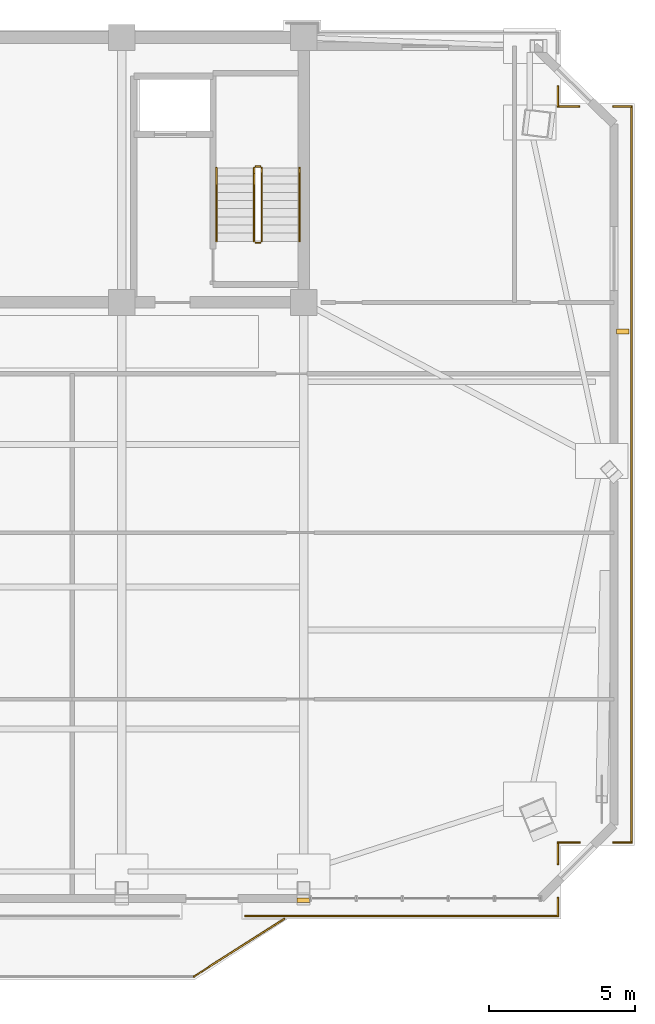
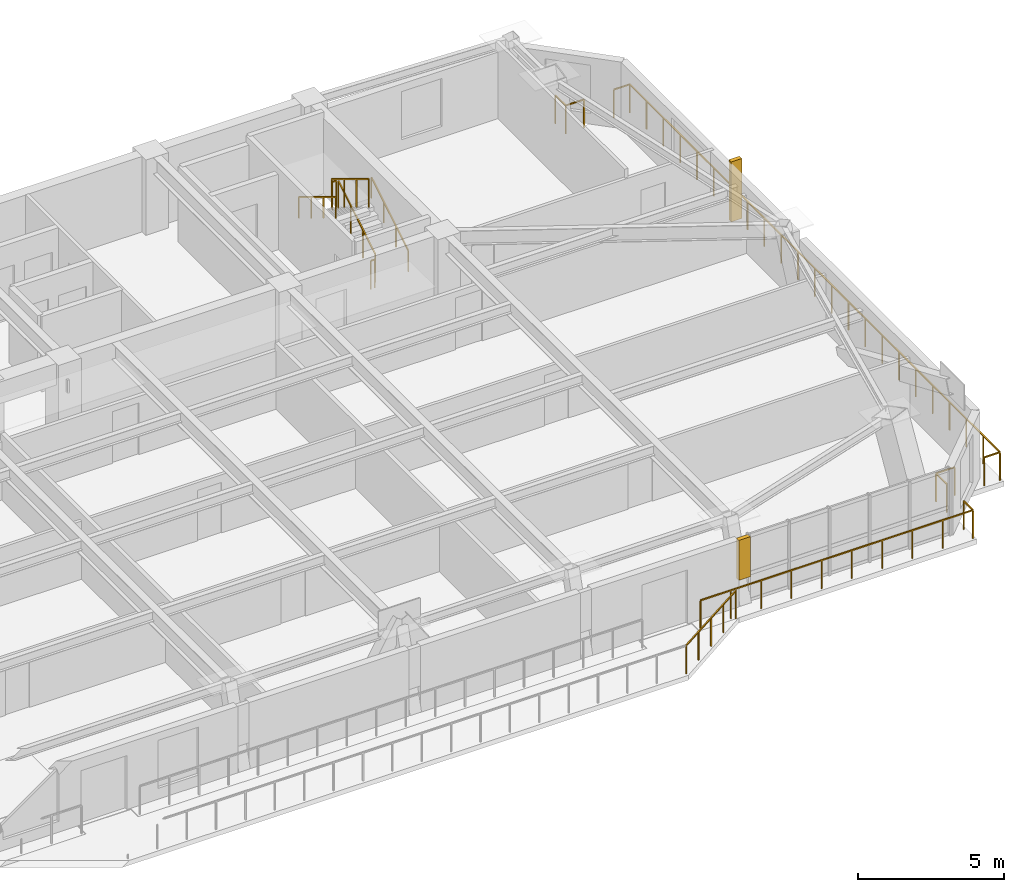
# One storey, part 14 of 15: 16 railings, 1 covering, 1 shading device.
"""IFC4 building model written with IfcOpenShell, lengths in metres."""

import ifcopenshell
import ifcopenshell.guid

model = None  # the IFC model being written
_history = None  # IfcOwnerHistory: only IFC2X3 demands one
_inside = {}  # id of a spatial element -> (the spatial element, [elements in it])
_under = {}  # id of a project, library or spatial element -> (it, [spatial elements below it])
_declared = {}  # id of a project -> (the project, [libraries it declares])
_typed = {}  # id of a type object -> (the type object, [elements of that type])
_made_of = {}  # id of a material, layer set ... -> (it, [elements and type objects made of it])


def new_model(schema):
    """Start an empty IFC model of exactly this schema.

    Asked for "IFC4X3", IfcOpenShell would pick the latest addendum, in which some entities
    have other attributes; the version numbers below select the first issue.
    IFC2X3 requires an IfcOwnerHistory on every rooted entity: one is made here for all.
    """
    global model, _history
    if schema == "IFC4X3":
        model = ifcopenshell.file(schema_version=(4, 3, 0, 0))
    else:
        model = ifcopenshell.file(schema=schema)
    _inside.clear()
    _under.clear()
    _declared.clear()
    _typed.clear()
    _made_of.clear()
    _history = None
    if model.schema == "IFC2X3":
        org = make("IfcOrganization", Name="unknown")
        user = make(
            "IfcPersonAndOrganization",
            ThePerson=make("IfcPerson", FamilyName="unknown"),
            TheOrganization=org,
        )
        app = make(
            "IfcApplication",
            ApplicationDeveloper=org,
            Version="unknown",
            ApplicationFullName="unknown",
            ApplicationIdentifier="unknown",
        )
        _history = make(
            "IfcOwnerHistory",
            OwningUser=user,
            OwningApplication=app,
            ChangeAction="ADDED",
            CreationDate=0,
        )
    return model


def make(cls, **values):
    """One entity of the class cls with the attributes given. An attribute that is None is left unset."""
    return model.create_entity(
        cls, **{name: value for name, value in values.items() if value is not None}
    )


def rooted(cls, **values):
    """An entity with a GlobalId (a new one), such as an element, a storey or a relation."""
    return make(cls, GlobalId=ifcopenshell.guid.new(), OwnerHistory=_history, **values)


def si_unit(unit_type, name, prefix=None):
    """IfcSIUnit, for example si_unit("LENGTHUNIT", "METRE", prefix="MILLI")."""
    return make("IfcSIUnit", UnitType=unit_type, Prefix=prefix, Name=name)


def assignment(units):
    """IfcUnitAssignment: the units of a project."""
    return None if units is None else make("IfcUnitAssignment", Units=units)


def point(xyz):
    """IfcCartesianPoint."""
    return None if xyz is None else make("IfcCartesianPoint", Coordinates=xyz)


def direction(xyz):
    """IfcDirection."""
    return None if xyz is None else make("IfcDirection", DirectionRatios=xyz)


def frame(location, z_axis=None, x_axis=None):
    """IfcAxis2Placement3D, a coordinate frame: its origin and axes. An axis left out is left unset."""
    return make(
        "IfcAxis2Placement3D",
        Location=point(location),
        Axis=direction(z_axis),
        RefDirection=direction(x_axis),
    )


def frame_2d(location, x_axis=None):
    """IfcAxis2Placement2D, a coordinate frame in the plane: its origin and x axis."""
    return make(
        "IfcAxis2Placement2D", Location=point(location), RefDirection=direction(x_axis)
    )


def origin():
    """The frame at (0, 0, 0) with its axes left unset."""
    return frame((0.0, 0.0, 0.0))


def origin_2d():
    """The frame at (0, 0) in the plane with its x axis left unset."""
    return frame_2d((0.0, 0.0))


def place(relative_to, where):
    """IfcLocalPlacement: puts the frame where relative to a parent placement (None: the world)."""
    return make(
        "IfcLocalPlacement", PlacementRelTo=relative_to, RelativePlacement=where
    )


def context(
    kind, dimensions, precision=None, world=None, true_north=None, identifier=None
):
    """IfcGeometricRepresentationContext, for example the 3D "Model" context."""
    return make(
        "IfcGeometricRepresentationContext",
        ContextIdentifier=identifier,
        ContextType=kind,
        CoordinateSpaceDimension=dimensions,
        Precision=precision,
        WorldCoordinateSystem=world,
        TrueNorth=true_north,
    )


def subcontext(parent, identifier, kind, view, scale=None):
    """IfcGeometricRepresentationSubContext, for example "Body" below "Model"."""
    return make(
        "IfcGeometricRepresentationSubContext",
        ContextIdentifier=identifier,
        ContextType=kind,
        ParentContext=parent,
        TargetScale=scale,
        TargetView=view,
    )


def project(units=None, contexts=None):
    """IfcProject with its units and contexts."""
    return rooted(
        "IfcProject",
        Name="project",
        RepresentationContexts=contexts,
        UnitsInContext=assignment(units),
    )


def spatial(cls, under=None, at=None, **own):
    """A site, building, storey or space (cls), placed at a placement, below another one or the project."""
    s = rooted(cls, ObjectPlacement=at, **own)
    if under is not None:
        _under.setdefault(under.id(), (under, []))[1].append(s)
    return s


def polyline(points):
    """IfcPolyline through the points."""
    return make("IfcPolyline", Points=[point(p) for p in points])


def profile(cls, at=None, kind="AREA", **sizes):
    """A parametric profile (cls). Its sizes go by their IFC names, for example OverallWidth=200.0."""
    return make(cls, ProfileType=kind, Position=at, **sizes)


def rectangle(**sizes):
    """IfcRectangleProfileDef."""
    return profile("IfcRectangleProfileDef", **sizes)


def outline(outer, holes=None, kind="AREA"):
    """IfcArbitraryClosedProfileDef: a profile drawn as a closed curve; with holes, ...WithVoids."""
    if holes is None:
        return make("IfcArbitraryClosedProfileDef", ProfileType=kind, OuterCurve=outer)
    return make(
        "IfcArbitraryProfileDefWithVoids",
        ProfileType=kind,
        OuterCurve=outer,
        InnerCurves=holes,
    )


def extrude(swept, where, along, depth):
    """IfcExtrudedAreaSolid: the profile swept, set in the frame where, extruded along a direction by depth."""
    return make(
        "IfcExtrudedAreaSolid",
        SweptArea=swept,
        Position=where,
        ExtrudedDirection=direction(along),
        Depth=depth,
    )


def shape(context_of_items, identifier, shape_type, items):
    """IfcShapeRepresentation: the items that make up one representation, for example the "Body"."""
    return make(
        "IfcShapeRepresentation",
        ContextOfItems=context_of_items,
        RepresentationIdentifier=identifier,
        RepresentationType=shape_type,
        Items=items,
    )


def source(mapping_origin, context_of_items, identifier, shape_type, items):
    """IfcRepresentationMap: a shape defined once, which mapped items show again and again."""
    return make(
        "IfcRepresentationMap",
        MappingOrigin=mapping_origin,
        MappedRepresentation=shape(context_of_items, identifier, shape_type, items),
    )


def transform(
    local_origin,
    x_axis=None,
    y_axis=None,
    z_axis=None,
    scale=None,
    scale2=None,
    scale3=None,
    uniform=True,
):
    """IfcCartesianTransformationOperator3D, or its non-uniform kind. x_axis, y_axis, z_axis: its Axis1, 2, 3."""
    if uniform:
        return make(
            "IfcCartesianTransformationOperator3D",
            Axis1=direction(x_axis),
            Axis2=direction(y_axis),
            LocalOrigin=point(local_origin),
            Scale=scale,
            Axis3=direction(z_axis),
        )
    return make(
        "IfcCartesianTransformationOperator3DnonUniform",
        Axis1=direction(x_axis),
        Axis2=direction(y_axis),
        LocalOrigin=point(local_origin),
        Scale=scale,
        Axis3=direction(z_axis),
        Scale2=scale2,
        Scale3=scale3,
    )


def mapped(mapping_source, mapping_target):
    """IfcMappedItem: shows the shape of a source again, moved by a transform."""
    return make(
        "IfcMappedItem", MappingSource=mapping_source, MappingTarget=mapping_target
    )


def material(Name=None, Category=None):
    """IfcMaterial."""
    return make("IfcMaterial", Name=Name, Category=Category)


def layer(
    of_material, thickness, ventilated=None, Name=None, Category=None, Priority=None
):
    """IfcMaterialLayer: one layer of a wall or slab, of a material (None: an air gap)."""
    return make(
        "IfcMaterialLayer",
        Material=of_material,
        LayerThickness=thickness,
        IsVentilated=ventilated,
        Name=Name,
        Category=Category,
        Priority=Priority,
    )


def layer_set(layers, Name=None):
    """IfcMaterialLayerSet."""
    return make("IfcMaterialLayerSet", MaterialLayers=layers, LayerSetName=Name)


def made_of(thing, what):
    """Note that an element or type object is made of a material, layer set ...; save() writes the relation."""
    if what is not None:
        _made_of.setdefault(what.id(), (what, []))[1].append(thing)
    return thing


def type_object(cls, material=None, **own):
    """A type object (cls), such as IfcWallType, which elements share."""
    return made_of(rooted(cls, **own), material)


def element(
    cls,
    number,
    at=None,
    inside=None,
    cuts=None,
    type_object=None,
    material=None,
    context=None,
    identifier="Body",
    shape_type=None,
    held_by="IfcProductDefinitionShape",
    body=None,
    shapes=None,
    **own,
):
    """One element of the class cls, such as IfcWall. Its Tag is "e" and its number.

    at: its placement. inside: the storey or other place that contains it. cuts: it is an
    opening in that element (IfcRelVoidsElement). A single representation is given by context,
    identifier, shape_type and body (its items); several are given by shapes. held_by: the class
    of the entity that holds the representations. save() writes the other relations.
    """
    e = rooted(cls, Tag="e%d" % number, ObjectPlacement=at, **own)
    if body is not None:
        shapes = [shape(context, identifier, shape_type, body)]
    if shapes is not None:
        e.Representation = make(held_by, Representations=shapes)
    if inside is not None:
        _inside.setdefault(inside.id(), (inside, []))[1].append(e)
    if cuts is not None:
        rooted(
            "IfcRelVoidsElement", RelatingBuildingElement=cuts, RelatedOpeningElement=e
        )
    if type_object is not None:
        _typed.setdefault(type_object.id(), (type_object, []))[1].append(e)
    return made_of(e, material)


def aggregate(whole, parts):
    """IfcRelAggregates: a whole, such as a stair, and the parts it consists of."""
    return rooted("IfcRelAggregates", RelatingObject=whole, RelatedObjects=parts)


def save(model, path):
    """Write the relations noted so far, then the file.

    IfcRelAggregates (storeys below a building ...), IfcRelContainedInSpatialStructure (elements
    in a storey), IfcRelDefinesByType, IfcRelAssociatesMaterial and IfcRelDeclares: one each for
    every whole, place, type object, material and project.
    """
    for whole, parts in _under.values():
        aggregate(whole, parts)
    for where, things in _inside.values():
        rooted(
            "IfcRelContainedInSpatialStructure",
            RelatedElements=things,
            RelatingStructure=where,
        )
    for kind, things in _typed.values():
        rooted("IfcRelDefinesByType", RelatedObjects=things, RelatingType=kind)
    for what, things in _made_of.values():
        rooted("IfcRelAssociatesMaterial", RelatedObjects=things, RelatingMaterial=what)
    for by, libraries in _declared.values():
        rooted("IfcRelDeclares", RelatingContext=by, RelatedDefinitions=libraries)
    model.write(path)


model = new_model("IFC4")

# Units and contexts
model_context = context("Model", 3, precision=1e-05, world=origin(), true_north=direction((0.0, 1.0)))
body_context = subcontext(model_context, "Body", "Model", "MODEL_VIEW")
ifc_project = project(units=[si_unit("LENGTHUNIT", "METRE"), si_unit("AREAUNIT", "SQUARE_METRE"), si_unit("VOLUMEUNIT", "CUBIC_METRE"), si_unit("PLANEANGLEUNIT", "RADIAN"), si_unit("MASSUNIT", "GRAM", prefix="KILO")], contexts=[model_context])

# Site, building, storey
site_placement = place(None, origin())
site = spatial("IfcSite", under=ifc_project, at=site_placement, CompositionType="ELEMENT")
building_placement = place(site_placement, origin())
building = spatial("IfcBuilding", under=site, at=building_placement, Name="Giltprow Tower", CompositionType="ELEMENT")
storey_placement = place(building_placement, frame((0.0, 0.0, 275.699951171875)))
storey = spatial("IfcBuildingStorey", under=building, at=storey_placement, Name="L71", CompositionType="ELEMENT", Elevation=275.699951171875)

# Covering
ifc_material = material(Name="Anodized bronze", Category="metal")
ifc_layer = layer(ifc_material, 0.0400390625, Name="Anodized bronze")
ifc_layer_set = layer_set([ifc_layer], Name="Anodized bronze")
covering_type = type_object("IfcCoveringType", Name="COV-SOFFIT-BRONZE", PredefinedType="CLADDING", material=ifc_layer_set)
covering_placement = place(storey_placement, frame((0.0, 0.0, 1.10009765625)))
element("IfcCovering", 1, at=covering_placement, inside=storey, type_object=covering_type, Name="L71 Setback Pier Closure Cladding S-5", PredefinedType="CLADDING", context=body_context, shape_type="SweptSolid", body=[
    extrude(outline(polyline([(50.324951171875, 16.8359375), (50.77490234375, 16.8359375), (50.77490234375, 16.99609375), (50.324951171875, 16.99609375), (50.324951171875, 16.8359375)])), origin(), (0.0, 0.0, 1.0), 1.669921875),
])

# Railings
railing_type_1 = type_object("IfcRailingType", Name="RAIL-BALC-GUARD-1200", PredefinedType="BALUSTRADE", material=ifc_material)
railing_1_placement = place(storey_placement, frame((46.780029296875, 14.2958984375, 0.0)))
element("IfcRailing", 2, at=railing_1_placement, inside=storey, type_object=railing_type_1, Name="L71 Waterfront Balcony Balustrade Seg 3", PredefinedType="BALUSTRADE", context=body_context, shape_type="SweptSolid", body=[
    extrude(rectangle(XDim=0.048095703125, YDim=0.048095703125, at=origin_2d()), frame((0.0, 0.0, 1.17578125), z_axis=(0.842755646126, 0.538296313309, 0.0), x_axis=(-0.538296313309, 0.842755646126, 0.0)), (0.0, 0.0, 1.0), 3.67822265625),
    extrude(rectangle(XDim=0.0419921875, YDim=0.0419921875, at=origin_2d()), origin(), (0.0, 0.0, 1.0), 1.15185546875),
    extrude(rectangle(XDim=0.0419921875, YDim=0.0419921875, at=origin_2d()), frame((0.77490234375, 0.4951171875, 0.0)), (0.0, 0.0, 1.0), 1.15185546875),
    extrude(rectangle(XDim=0.0419921875, YDim=0.0419921875, at=origin_2d()), frame((1.5498046875, 0.989990234375, 0.0)), (0.0, 0.0, 1.0), 1.15185546875),
    extrude(rectangle(XDim=0.0419921875, YDim=0.0419921875, at=origin_2d()), frame((2.324951171875, 1.48486328125, 0.0)), (0.0, 0.0, 1.0), 1.15185546875),
    extrude(rectangle(XDim=0.0419921875, YDim=0.0419921875, at=origin_2d()), frame((3.099853515625, 1.97998046875, 0.0)), (0.0, 0.0, 1.0), 1.15185546875),
])
railing_2_placement = place(storey_placement, frame((61.806884765625, 44.176025390625, 0.0)))
element("IfcRailing", 3, at=railing_2_placement, inside=storey, type_object=railing_type_1, Name="L71 Corner Apron Edge Balustrade 1", PredefinedType="BALUSTRADE", context=body_context, shape_type="SweptSolid", body=[
    extrude(rectangle(XDim=0.048095703125, YDim=0.048095703125, at=origin_2d()), frame((0.0, 0.0, 1.17578125), z_axis=(0.0, -1.0, 0.0), x_axis=(1.0, 0.0, 0.0)), (0.0, 0.0, 1.0), 25.277099609375),
    extrude(rectangle(XDim=0.0419921875, YDim=0.0419921875, at=origin_2d()), origin(), (0.0, 0.0, 1.0), 1.15185546875),
    extrude(rectangle(XDim=0.0419921875, YDim=0.0419921875, at=origin_2d()), frame((0.0, -1.14892578125, 0.0)), (0.0, 0.0, 1.0), 1.15185546875),
    extrude(rectangle(XDim=0.0419921875, YDim=0.0419921875, at=origin_2d()), frame((0.0, -2.2978515625, 0.0)), (0.0, 0.0, 1.0), 1.15185546875),
    extrude(rectangle(XDim=0.0419921875, YDim=0.0419921875, at=origin_2d()), frame((0.0, -3.44677734375, 0.0)), (0.0, 0.0, 1.0), 1.15185546875),
    extrude(rectangle(XDim=0.0419921875, YDim=0.0419921875, at=origin_2d()), frame((0.0, -4.595947265625, 0.0)), (0.0, 0.0, 1.0), 1.15185546875),
    extrude(rectangle(XDim=0.0419921875, YDim=0.0419921875, at=origin_2d()), frame((0.0, -5.744873046875, 0.0)), (0.0, 0.0, 1.0), 1.15185546875),
    extrude(rectangle(XDim=0.0419921875, YDim=0.0419921875, at=origin_2d()), frame((0.0, -6.893798828125, 0.0)), (0.0, 0.0, 1.0), 1.15185546875),
    extrude(rectangle(XDim=0.0419921875, YDim=0.0419921875, at=origin_2d()), frame((0.0, -8.042724609375, 0.0)), (0.0, 0.0, 1.0), 1.15185546875),
    extrude(rectangle(XDim=0.0419921875, YDim=0.0419921875, at=origin_2d()), frame((0.0, -9.191650390625, 0.0)), (0.0, 0.0, 1.0), 1.15185546875),
    extrude(rectangle(XDim=0.0419921875, YDim=0.0419921875, at=origin_2d()), frame((0.0, -10.340576171875, 0.0)), (0.0, 0.0, 1.0), 1.15185546875),
    extrude(rectangle(XDim=0.0419921875, YDim=0.0419921875, at=origin_2d()), frame((0.0, -11.489501953125, 0.0)), (0.0, 0.0, 1.0), 1.15185546875),
    extrude(rectangle(XDim=0.0419921875, YDim=0.0419921875, at=origin_2d()), frame((0.0, -12.638671875, 0.0)), (0.0, 0.0, 1.0), 1.15185546875),
    extrude(rectangle(XDim=0.0419921875, YDim=0.0419921875, at=origin_2d()), frame((0.0, -13.78759765625, 0.0)), (0.0, 0.0, 1.0), 1.15185546875),
    extrude(rectangle(XDim=0.0419921875, YDim=0.0419921875, at=origin_2d()), frame((0.0, -14.9365234375, 0.0)), (0.0, 0.0, 1.0), 1.15185546875),
    extrude(rectangle(XDim=0.0419921875, YDim=0.0419921875, at=origin_2d()), frame((0.0, -16.08544921875, 0.0)), (0.0, 0.0, 1.0), 1.15185546875),
    extrude(rectangle(XDim=0.0419921875, YDim=0.0419921875, at=origin_2d()), frame((0.0, -17.234375, 0.0)), (0.0, 0.0, 1.0), 1.15185546875),
    extrude(rectangle(XDim=0.0419921875, YDim=0.0419921875, at=origin_2d()), frame((0.0, -18.38330078125, 0.0)), (0.0, 0.0, 1.0), 1.15185546875),
    extrude(rectangle(XDim=0.0419921875, YDim=0.0419921875, at=origin_2d()), frame((0.0, -19.5322265625, 0.0)), (0.0, 0.0, 1.0), 1.15185546875),
    extrude(rectangle(XDim=0.0419921875, YDim=0.0419921875, at=origin_2d()), frame((0.0, -20.68115234375, 0.0)), (0.0, 0.0, 1.0), 1.15185546875),
    extrude(rectangle(XDim=0.0419921875, YDim=0.0419921875, at=origin_2d()), frame((0.0, -21.830322265625, 0.0)), (0.0, 0.0, 1.0), 1.15185546875),
    extrude(rectangle(XDim=0.0419921875, YDim=0.0419921875, at=origin_2d()), frame((0.0, -22.979248046875, 0.0)), (0.0, 0.0, 1.0), 1.15185546875),
    extrude(rectangle(XDim=0.0419921875, YDim=0.0419921875, at=origin_2d()), frame((0.0, -24.128173828125, 0.0)), (0.0, 0.0, 1.0), 1.15185546875),
    extrude(rectangle(XDim=0.0419921875, YDim=0.0419921875, at=origin_2d()), frame((0.0, -25.277099609375, 0.0)), (0.0, 0.0, 1.0), 1.15185546875),
])
railing_3_placement = place(storey_placement, frame((61.806884765625, 18.89892578125, 0.0)))
element("IfcRailing", 4, at=railing_3_placement, inside=storey, type_object=railing_type_1, Name="L71 Corner Apron Edge Balustrade 2", PredefinedType="BALUSTRADE", context=body_context, shape_type="SweptSolid", body=[
    extrude(rectangle(XDim=0.048095703125, YDim=0.048095703125, at=origin_2d()), frame((0.0, 0.0, 1.17578125), z_axis=(-1.0, 0.0, 0.0), x_axis=(0.0, -1.0, 0.0)), (0.0, 0.0, 1.0), 0.619873046875),
    extrude(rectangle(XDim=0.0419921875, YDim=0.0419921875, at=origin_2d()), origin(), (0.0, 0.0, 1.0), 1.15185546875),
    extrude(rectangle(XDim=0.0419921875, YDim=0.0419921875, at=origin_2d()), frame((-0.619873046875, 0.0, 0.0)), (0.0, 0.0, 1.0), 1.15185546875),
])
railing_4_placement = place(storey_placement, frame((60.027099609375, 18.89892578125, 0.0)))
element("IfcRailing", 5, at=railing_4_placement, inside=storey, type_object=railing_type_1, Name="L71 Corner Apron Edge Balustrade 3", PredefinedType="BALUSTRADE", context=body_context, shape_type="SweptSolid", body=[
    extrude(rectangle(XDim=0.048095703125, YDim=0.048095703125, at=origin_2d()), frame((0.0, 0.0, 1.17578125), z_axis=(-1.0, 0.0, 0.0), x_axis=(0.0, -1.0, 0.0)), (0.0, 0.0, 1.0), 0.744140625),
    extrude(rectangle(XDim=0.0419921875, YDim=0.0419921875, at=origin_2d()), origin(), (0.0, 0.0, 1.0), 1.15185546875),
    extrude(rectangle(XDim=0.0419921875, YDim=0.0419921875, at=origin_2d()), frame((-0.744140625, 0.0, 0.0)), (0.0, 0.0, 1.0), 1.15185546875),
])
railing_5_placement = place(storey_placement, frame((59.282958984375, 18.89892578125, 0.0)))
element("IfcRailing", 6, at=railing_5_placement, inside=storey, type_object=railing_type_1, Name="L71 Corner Apron Edge Balustrade 4", PredefinedType="BALUSTRADE", context=body_context, shape_type="SweptSolid", body=[
    extrude(rectangle(XDim=0.048095703125, YDim=0.048095703125, at=origin_2d()), frame((0.0, 0.0, 1.17578125), z_axis=(0.0, -1.0, 0.0), x_axis=(1.0, 0.0, 0.0)), (0.0, 0.0, 1.0), 0.743896484375),
    extrude(rectangle(XDim=0.0419921875, YDim=0.0419921875, at=origin_2d()), origin(), (0.0, 0.0, 1.0), 1.15185546875),
    extrude(rectangle(XDim=0.0419921875, YDim=0.0419921875, at=origin_2d()), frame((0.0, -0.743896484375, 0.0)), (0.0, 0.0, 1.0), 1.15185546875),
])
railing_6_placement = place(storey_placement, frame((59.282958984375, 16.9951171875, 0.0)))
element("IfcRailing", 7, at=railing_6_placement, inside=storey, type_object=railing_type_1, Name="L71 Corner Apron Edge Balustrade 5", PredefinedType="BALUSTRADE", context=body_context, shape_type="SweptSolid", body=[
    extrude(rectangle(XDim=0.048095703125, YDim=0.048095703125, at=origin_2d()), frame((0.0, 0.0, 1.17578125), z_axis=(0.0, -1.0, 0.0), x_axis=(1.0, 0.0, 0.0)), (0.0, 0.0, 1.0), 0.619140625),
    extrude(rectangle(XDim=0.0419921875, YDim=0.0419921875, at=origin_2d()), origin(), (0.0, 0.0, 1.0), 1.15185546875),
    extrude(rectangle(XDim=0.0419921875, YDim=0.0419921875, at=origin_2d()), frame((0.0, -0.619140625, 0.0)), (0.0, 0.0, 1.0), 1.15185546875),
])
railing_7_placement = place(storey_placement, frame((59.282958984375, 16.3759765625, 0.0)))
element("IfcRailing", 8, at=railing_7_placement, inside=storey, type_object=railing_type_1, Name="L71 Corner Apron Edge Balustrade 6", PredefinedType="BALUSTRADE", context=body_context, shape_type="SweptSolid", body=[
    extrude(rectangle(XDim=0.048095703125, YDim=0.048095703125, at=origin_2d()), frame((0.0, 0.0, 1.17578125), z_axis=(-1.0, 0.0, 0.0), x_axis=(0.0, -1.0, 0.0)), (0.0, 0.0, 1.0), 10.73291015625),
    extrude(rectangle(XDim=0.0419921875, YDim=0.0419921875, at=origin_2d()), origin(), (0.0, 0.0, 1.0), 1.15185546875),
    extrude(rectangle(XDim=0.0419921875, YDim=0.0419921875, at=origin_2d()), frame((-1.192626953125, 0.0, 0.0)), (0.0, 0.0, 1.0), 1.15185546875),
    extrude(rectangle(XDim=0.0419921875, YDim=0.0419921875, at=origin_2d()), frame((-2.385009765625, 0.0, 0.0)), (0.0, 0.0, 1.0), 1.15185546875),
    extrude(rectangle(XDim=0.0419921875, YDim=0.0419921875, at=origin_2d()), frame((-3.57763671875, 0.0, 0.0)), (0.0, 0.0, 1.0), 1.15185546875),
    extrude(rectangle(XDim=0.0419921875, YDim=0.0419921875, at=origin_2d()), frame((-4.770263671875, 0.0, 0.0)), (0.0, 0.0, 1.0), 1.15185546875),
    extrude(rectangle(XDim=0.0419921875, YDim=0.0419921875, at=origin_2d()), frame((-5.962646484375, 0.0, 0.0)), (0.0, 0.0, 1.0), 1.15185546875),
    extrude(rectangle(XDim=0.0419921875, YDim=0.0419921875, at=origin_2d()), frame((-7.1552734375, 0.0, 0.0)), (0.0, 0.0, 1.0), 1.15185546875),
    extrude(rectangle(XDim=0.0419921875, YDim=0.0419921875, at=origin_2d()), frame((-8.347900390625, 0.0, 0.0)), (0.0, 0.0, 1.0), 1.15185546875),
    extrude(rectangle(XDim=0.0419921875, YDim=0.0419921875, at=origin_2d()), frame((-9.540283203125, 0.0, 0.0)), (0.0, 0.0, 1.0), 1.15185546875),
    extrude(rectangle(XDim=0.0419921875, YDim=0.0419921875, at=origin_2d()), frame((-10.73291015625, 0.0, 0.0)), (0.0, 0.0, 1.0), 1.15185546875),
])
railing_8_placement = place(storey_placement, frame((59.282958984375, 44.876953125, 0.0)))
element("IfcRailing", 9, at=railing_8_placement, inside=storey, type_object=railing_type_1, Name="L71 Corner Apron Edge Balustrade 27", PredefinedType="BALUSTRADE", context=body_context, shape_type="SweptSolid", body=[
    extrude(rectangle(XDim=0.048095703125, YDim=0.048095703125, at=origin_2d()), frame((0.0, 0.0, 1.17578125), z_axis=(0.0, -1.0, 0.0), x_axis=(1.0, 0.0, 0.0)), (0.0, 0.0, 1.0), 0.700927734375),
    extrude(rectangle(XDim=0.0419921875, YDim=0.0419921875, at=origin_2d()), origin(), (0.0, 0.0, 1.0), 1.15185546875),
    extrude(rectangle(XDim=0.0419921875, YDim=0.0419921875, at=origin_2d()), frame((0.0, -0.700927734375, 0.0)), (0.0, 0.0, 1.0), 1.15185546875),
])
railing_9_placement = place(storey_placement, frame((59.282958984375, 44.176025390625, 0.0)))
element("IfcRailing", 10, at=railing_9_placement, inside=storey, type_object=railing_type_1, Name="L71 Corner Apron Edge Balustrade 28", PredefinedType="BALUSTRADE", context=body_context, shape_type="SweptSolid", body=[
    extrude(rectangle(XDim=0.048095703125, YDim=0.048095703125, at=origin_2d()), frame((0.0, 0.0, 1.17578125), z_axis=(1.0, 0.0, 0.0), x_axis=(0.0, 1.0, 0.0)), (0.0, 0.0, 1.0), 0.719970703125),
    extrude(rectangle(XDim=0.0419921875, YDim=0.0419921875, at=origin_2d()), origin(), (0.0, 0.0, 1.0), 1.15185546875),
    extrude(rectangle(XDim=0.0419921875, YDim=0.0419921875, at=origin_2d()), frame((0.719970703125, 0.0, 0.0)), (0.0, 0.0, 1.0), 1.15185546875),
])
railing_10_placement = place(storey_placement, frame((61.178955078125, 44.176025390625, 0.0)))
element("IfcRailing", 11, at=railing_10_placement, inside=storey, type_object=railing_type_1, Name="L71 Corner Apron Edge Balustrade 29", PredefinedType="BALUSTRADE", context=body_context, shape_type="SweptSolid", body=[
    extrude(rectangle(XDim=0.048095703125, YDim=0.048095703125, at=origin_2d()), frame((0.0, 0.0, 1.17578125), z_axis=(1.0, 0.0, 0.0), x_axis=(0.0, 1.0, 0.0)), (0.0, 0.0, 1.0), 0.6279296875),
    extrude(rectangle(XDim=0.0419921875, YDim=0.0419921875, at=origin_2d()), origin(), (0.0, 0.0, 1.0), 1.15185546875),
    extrude(rectangle(XDim=0.0419921875, YDim=0.0419921875, at=origin_2d()), frame((0.6279296875, 0.0, 0.0)), (0.0, 0.0, 1.0), 1.15185546875),
])
railing_type_2 = type_object("IfcRailingType", Name="RAIL-STAIR-GUARD-1200", PredefinedType="GUARDRAIL", material=ifc_material)
railing_11_placement = place(storey_placement, frame((49.110107421875, 39.550048828125, 0.170166015625)))
element("IfcRailing", 12, at=railing_11_placement, inside=storey, type_object=railing_type_2, Name="L71 ST-3 stair guard 1", PredefinedType="GUARDRAIL", context=body_context, shape_type="SweptSolid", body=[
    extrude(rectangle(XDim=0.048095703125, YDim=0.048095703125, at=origin_2d()), frame((0.0, 0.0, 1.17578125), z_axis=(0.0, 0.854821627497, 0.518921945155), x_axis=(-1.0, 0.0, 0.0)), (0.0, 0.0, 1.0), 2.947998046875),
    extrude(rectangle(XDim=0.0419921875, YDim=0.0419921875, at=origin_2d()), origin(), (0.0, 0.0, 1.0), 1.15185546875),
    extrude(rectangle(XDim=0.0419921875, YDim=0.0419921875, at=origin_2d()), frame((0.0, 0.840087890625, 0.510009765625)), (0.0, 0.0, 1.0), 1.15185546875),
    extrude(rectangle(XDim=0.0419921875, YDim=0.0419921875, at=origin_2d()), frame((0.0, 1.679931640625, 1.019775390625)), (0.0, 0.0, 1.0), 1.15185546875),
    extrude(rectangle(XDim=0.0419921875, YDim=0.0419921875, at=origin_2d()), frame((0.0, 2.52001953125, 1.52978515625)), (0.0, 0.0, 1.0), 1.15185546875),
])
railing_12_placement = place(storey_placement, frame((49.06005859375, 42.1201171875, 1.699951171875)))
element("IfcRailing", 13, at=railing_12_placement, inside=storey, type_object=railing_type_2, Name="L71 ST-3 stair guard 2", PredefinedType="GUARDRAIL", context=body_context, shape_type="SweptSolid", body=[
    extrude(rectangle(XDim=0.048095703125, YDim=0.048095703125, at=origin_2d()), frame((0.0, 0.0, 1.17578125), z_axis=(-1.0, 0.0, 0.0), x_axis=(0.0, -1.0, 0.0)), (0.0, 0.0, 1.0), 0.16015625),
    extrude(rectangle(XDim=0.0419921875, YDim=0.0419921875, at=origin_2d()), origin(), (0.0, 0.0, 1.0), 1.15185546875),
    extrude(rectangle(XDim=0.0419921875, YDim=0.0419921875, at=origin_2d()), frame((-0.16015625, 0.0, 0.0)), (0.0, 0.0, 1.0), 1.15185546875),
])
railing_13_placement = place(storey_placement, frame((48.85009765625, 42.070068359375, 1.8701171875)))
element("IfcRailing", 14, at=railing_13_placement, inside=storey, type_object=railing_type_2, Name="L71 ST-3 stair guard 3", PredefinedType="GUARDRAIL", context=body_context, shape_type="SweptSolid", body=[
    extrude(rectangle(XDim=0.048095703125, YDim=0.048095703125, at=origin_2d()), frame((0.0, 0.0, 1.17578125), z_axis=(0.0, -0.85478489116, 0.518982456201), x_axis=(1.0, 0.0, 0.0)), (0.0, 0.0, 1.0), 2.9482421875),
    extrude(rectangle(XDim=0.0419921875, YDim=0.0419921875, at=origin_2d()), origin(), (0.0, 0.0, 1.0), 1.15185546875),
    extrude(rectangle(XDim=0.0419921875, YDim=0.0419921875, at=origin_2d()), frame((0.0, -0.840087890625, 0.510009765625)), (0.0, 0.0, 1.0), 1.15185546875),
    extrude(rectangle(XDim=0.0419921875, YDim=0.0419921875, at=origin_2d()), frame((0.0, -1.679931640625, 1.02001953125)), (0.0, 0.0, 1.0), 1.15185546875),
    extrude(rectangle(XDim=0.0419921875, YDim=0.0419921875, at=origin_2d()), frame((0.0, -2.52001953125, 1.530029296875)), (0.0, 0.0, 1.0), 1.15185546875),
])
railing_14_placement = place(storey_placement, frame((49.06005859375, 39.5, 0.0)))
element("IfcRailing", 15, at=railing_14_placement, inside=storey, type_object=railing_type_2, Name="L71 ST-3 stair guard 4", PredefinedType="GUARDRAIL", context=body_context, shape_type="SweptSolid", body=[
    extrude(rectangle(XDim=0.048095703125, YDim=0.048095703125, at=origin_2d()), frame((0.0, 0.0, 1.17578125), z_axis=(-1.0, 0.0, 0.0), x_axis=(0.0, -1.0, 0.0)), (0.0, 0.0, 1.0), 0.16015625),
    extrude(rectangle(XDim=0.0419921875, YDim=0.0419921875, at=origin_2d()), origin(), (0.0, 0.0, 1.0), 1.15185546875),
    extrude(rectangle(XDim=0.0419921875, YDim=0.0419921875, at=origin_2d()), frame((-0.16015625, 0.0, 0.0)), (0.0, 0.0, 1.0), 1.15185546875),
])
railing_type_3 = type_object("IfcRailingType", Name="RAIL-STAIR-HAND-900", PredefinedType="HANDRAIL", material=ifc_material)
railing_15_placement = place(storey_placement, frame((50.409912109375, 39.550048828125, 0.170166015625)))
element("IfcRailing", 16, at=railing_15_placement, inside=storey, type_object=railing_type_3, Name="L71 ST-3 stair handrail 1", PredefinedType="HANDRAIL", context=body_context, shape_type="SweptSolid", body=[
    extrude(rectangle(XDim=0.048095703125, YDim=0.048095703125, at=origin_2d()), frame((0.0, 0.0, 0.8759765625), z_axis=(0.0, 0.854821627497, 0.518921945155), x_axis=(-1.0, 0.0, 0.0)), (0.0, 0.0, 1.0), 2.947998046875),
    extrude(rectangle(XDim=0.0419921875, YDim=0.0419921875, at=origin_2d()), origin(), (0.0, 0.0, 1.0), 0.851806640625),
    extrude(rectangle(XDim=0.0419921875, YDim=0.0419921875, at=origin_2d()), frame((0.0, 0.840087890625, 0.510009765625)), (0.0, 0.0, 1.0), 0.851806640625),
    extrude(rectangle(XDim=0.0419921875, YDim=0.0419921875, at=origin_2d()), frame((0.0, 1.679931640625, 1.019775390625)), (0.0, 0.0, 1.0), 0.851806640625),
    extrude(rectangle(XDim=0.0419921875, YDim=0.0419921875, at=origin_2d()), frame((0.0, 2.52001953125, 1.52978515625)), (0.0, 0.0, 1.0), 0.851806640625),
])
railing_16_placement = place(storey_placement, frame((47.550048828125, 42.070068359375, 1.8701171875)))
element("IfcRailing", 17, at=railing_16_placement, inside=storey, type_object=railing_type_3, Name="L71 ST-3 stair handrail 2", PredefinedType="HANDRAIL", context=body_context, shape_type="SweptSolid", body=[
    extrude(rectangle(XDim=0.048095703125, YDim=0.048095703125, at=origin_2d()), frame((0.0, 0.0, 0.8759765625), z_axis=(0.0, -0.85478489116, 0.518982456201), x_axis=(1.0, 0.0, 0.0)), (0.0, 0.0, 1.0), 2.9482421875),
    extrude(rectangle(XDim=0.0419921875, YDim=0.0419921875, at=origin_2d()), origin(), (0.0, 0.0, 1.0), 0.851806640625),
    extrude(rectangle(XDim=0.0419921875, YDim=0.0419921875, at=origin_2d()), frame((0.0, -0.840087890625, 0.510009765625)), (0.0, 0.0, 1.0), 0.851806640625),
    extrude(rectangle(XDim=0.0419921875, YDim=0.0419921875, at=origin_2d()), frame((0.0, -1.679931640625, 1.02001953125)), (0.0, 0.0, 1.0), 0.851806640625),
    extrude(rectangle(XDim=0.0419921875, YDim=0.0419921875, at=origin_2d()), frame((0.0, -2.52001953125, 1.530029296875)), (0.0, 0.0, 1.0), 0.851806640625),
])

# Shading device
shading_device_type = type_object("IfcShadingDeviceType", Name="SHD-FIN-420", PredefinedType="USERDEFINED", material=ifc_material)
shared_shape = source(origin(), body_context, "Body", "SweptSolid", [
    extrude(rectangle(XDim=0.419921875, YDim=0.159912109375, at=origin_2d()), origin(), (0.0, 0.0, 1.0), 2.5),
])
shading_device_placement = place(storey_placement, frame((61.507080078125, 36.449951171875, 0.35009765625), z_axis=(0.0, 0.0, 1.0), x_axis=(1.0, 0.0, 0.0)))
element("IfcShadingDevice", 18, at=shading_device_placement, inside=storey, type_object=shading_device_type, Name="L71 E Bronze Vertical Fin 2-1", ObjectType="FIN", PredefinedType="USERDEFINED", context=body_context, shape_type="MappedRepresentation", body=[
    mapped(shared_shape, transform((0.0, 0.0, 0.0), x_axis=(1.0, 0.0, 0.0), y_axis=(0.0, 1.0, 0.0), z_axis=(0.0, 0.0, 1.0), scale=1.0)),
])

save(model, "model.ifc")
